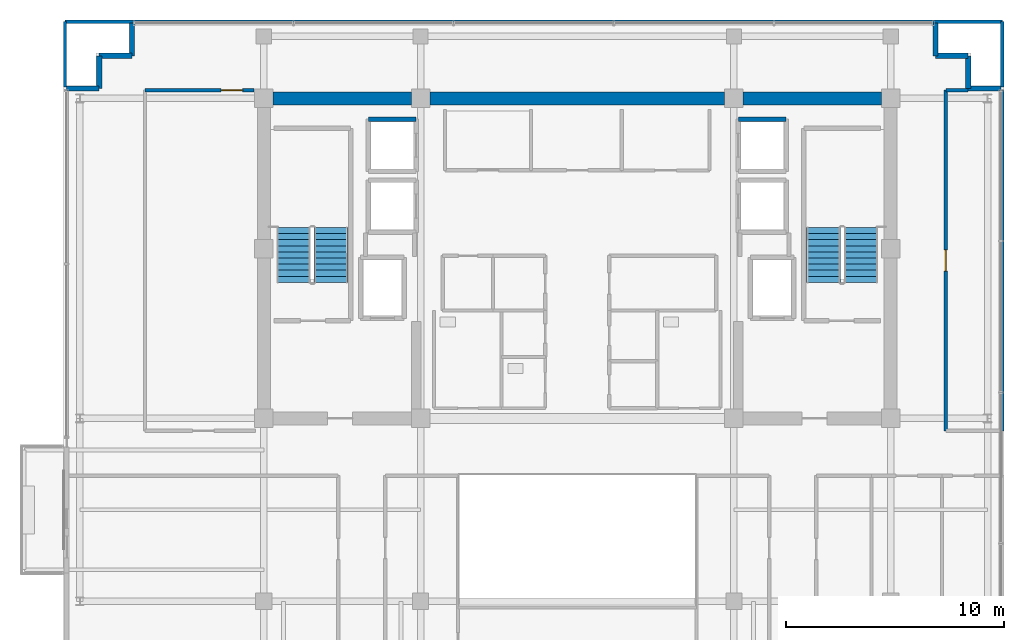
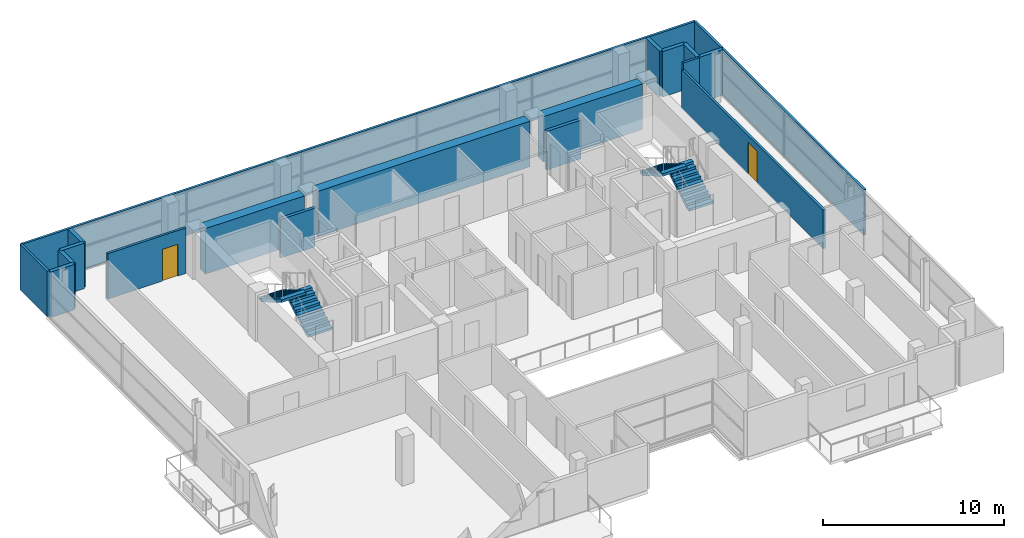
# One storey, part 18 of 22: 20 walls, 4 stair flights, 2 doors, 2 openings, 2 elements without a shape of their own.
"""IFC4 building model written with IfcOpenShell, lengths in metres."""

from ifc_helpers import new_model, si_unit, direction, frame, frame_2d, origin, place, context, subcontext, project, spatial, polyline, rectangle, outline, extrude, source, transform, mapped, material, layer, layer_set, type_object, element, fill, aggregate, save


model = new_model("IFC4")

# Units and contexts
model_context = context("Model", 3, precision=1e-05, world=origin(), true_north=direction((0.0, 1.0)))
body_context = subcontext(model_context, "Body", "Model", "MODEL_VIEW")
ifc_project = project(units=[si_unit("LENGTHUNIT", "METRE"), si_unit("AREAUNIT", "SQUARE_METRE"), si_unit("VOLUMEUNIT", "CUBIC_METRE"), si_unit("PLANEANGLEUNIT", "RADIAN"), si_unit("MASSUNIT", "GRAM", prefix="KILO")], contexts=[model_context])

# Site, building, storey
site_placement = place(None, origin())
site = spatial("IfcSite", under=ifc_project, at=site_placement, CompositionType="ELEMENT")
building_placement = place(site_placement, origin())
building = spatial("IfcBuilding", under=site, at=building_placement, Name="Zarnakvel Exchange Tower", CompositionType="ELEMENT")
storey_placement = place(building_placement, frame((0.0, 0.0, 222.10009765625)))
storey = spatial("IfcBuildingStorey", under=building, at=storey_placement, Name="L62", CompositionType="ELEMENT", Elevation=222.10009765625)

# Walls
ifc_material_1 = material(Name="Concrete C50/60", Category="concrete")
ifc_layer_1 = layer(ifc_material_1, 0.60009765625)
ifc_layer_set_1 = layer_set([ifc_layer_1], Name="Concrete C50/60")
wall_type_1 = type_object("IfcWallType", Name="CW-C5", PredefinedType="SHEAR", material=ifc_layer_set_1)
wall_1_placement = place(storey_placement, frame((-13.97509765625, 13.5, 0.0), z_axis=(0.0, 0.0, 1.0), x_axis=(1.0, 0.0, 0.0)))
element("IfcWall", 1, at=wall_1_placement, inside=storey, type_object=wall_type_1, Name="L62 Rear Core Shear Wall N1 (CW-C5)", PredefinedType="SHEAR", context=body_context, shape_type="SweptSolid", body=[
    extrude(rectangle(XDim=6.35009765625, YDim=0.60009765625, at=frame_2d((3.175048828125, 0.0))), origin(), (0.0, 0.0, 1.0), 3.074951171875),
])
wall_2_placement = place(storey_placement, frame((-6.77490234375, 13.5, 0.0), z_axis=(0.0, 0.0, 1.0), x_axis=(1.0, 0.0, 0.0)))
element("IfcWall", 2, at=wall_2_placement, inside=storey, type_object=wall_type_1, Name="L62 Rear Core Shear Wall N2 (CW-C5)", PredefinedType="SHEAR", context=body_context, shape_type="SweptSolid", body=[
    extrude(rectangle(XDim=13.5498046875, YDim=0.60009765625, at=frame_2d((6.77490234375, 0.0))), origin(), (0.0, 0.0, 1.0), 3.074951171875),
])
wall_3_placement = place(storey_placement, frame((7.625, 13.5, 0.0), z_axis=(0.0, 0.0, 1.0), x_axis=(1.0, 0.0, 0.0)))
element("IfcWall", 3, at=wall_3_placement, inside=storey, type_object=wall_type_1, Name="L62 Rear Core Shear Wall N3 (CW-C5)", PredefinedType="SHEAR", context=body_context, shape_type="SweptSolid", body=[
    extrude(rectangle(XDim=6.35009765625, YDim=0.60009765625, at=frame_2d((3.175048828125, 0.0))), origin(), (0.0, 0.0, 1.0), 3.074951171875),
])
ifc_material_2 = material(Name="Precast concrete C40/50", Category="concrete")
ifc_layer_2 = layer(ifc_material_2, 0.239990234375)
ifc_layer_set_2 = layer_set([ifc_layer_2], Name="Precast concrete C40/50")
wall_type_2 = type_object("IfcWallType", Name="EW-02", PredefinedType="SOLIDWALL", material=ifc_layer_set_2)
for number, where, z_axis, x_axis, name in (
    (4, (-21.9599609375, 13.9599609375, 0.0), (0.0, 0.0, 1.0), (-1.0, 0.0, 0.0), "L62 Exterior Precast Spandrel Wall EWC-L62-03 (EW-02)"),
    (5, (-21.9599609375, 15.4599609375, 0.0), (0.0, 0.0, 1.0), (0.0, -1.0, 0.0), "L62 Exterior Precast Spandrel Wall EWC-L62-04 (EW-02)"),
    (6, (-20.4599609375, 15.4599609375, 0.0), (0.0, 0.0, 1.0), (-1.0, 0.0, 0.0), "L62 Exterior Precast Spandrel Wall EWC-L62-05 (EW-02)"),
    (7, (-20.4599609375, 16.9599609375, 0.0), (0.0, 0.0, 1.0), (0.0, -1.0, 0.0), "L62 Exterior Precast Spandrel Wall EWC-L62-06 (EW-02)"),
    (8, (16.4599609375, 15.4599609375, 0.0), (0.0, 0.0, 1.0), (0.0, 1.0, 0.0), "L62 Exterior Precast Spandrel Wall EWC-L62-07 (EW-02)"),
    (9, (17.9599609375, 15.4599609375, 0.0), (0.0, 0.0, 1.0), (-1.0, 0.0, 0.0), "L62 Exterior Precast Spandrel Wall EWC-L62-08 (EW-02)"),
    (10, (17.9599609375, 13.9599609375, 0.0), (0.0, 0.0, 1.0), (0.0, 1.0, 0.0), "L62 Exterior Precast Spandrel Wall EWC-L62-09 (EW-02)"),
    (11, (19.4599609375, 13.9599609375, 0.0), (0.0, 0.0, 1.0), (-1.0, 0.0, 0.0), "L62 Exterior Precast Spandrel Wall EWC-L62-10 (EW-02)"),
):
    element("IfcWall", number, at=place(storey_placement, frame(where, z_axis=z_axis, x_axis=x_axis)), inside=storey, type_object=wall_type_2, Name=name, PredefinedType="SOLIDWALL", context=body_context, shape_type="SweptSolid", body=[
        extrude(rectangle(XDim=1.5, YDim=0.239990234375, at=frame_2d((0.75, 0.0))), origin(), (0.0, 0.0, 1.0), 3.074951171875),
    ])

# Wall, opening, door
ifc_material_3 = material(Name="Fire-Rated Gypsum Stud Partition", Category="gypsum")
ifc_layer_3 = layer(ifc_material_3, 0.14990234375)
ifc_layer_set_3 = layer_set([ifc_layer_3], Name="Fire-Rated Gypsum Stud Partition")
wall_type_3 = type_object("IfcWallType", Name="PT-01", PredefinedType="PARTITIONING", material=ifc_layer_set_3)
wall_4_placement = place(storey_placement, frame((-19.853271484375, 13.8798828125, 0.0), z_axis=(0.0, 0.0, 1.0), x_axis=(1.0, 0.0, 0.0)))
wall_4 = element("IfcWall", 12, at=wall_4_placement, inside=storey, type_object=wall_type_3, Name="L62 Partition Wall PWALL-L62-069 (PT-01)", PredefinedType="PARTITIONING", context=body_context, shape_type="SweptSolid", body=[
    extrude(rectangle(XDim=5.00830078125, YDim=0.14990234375, at=frame_2d((2.504150390625, 0.0))), origin(), (0.0, 0.0, 1.0), 3.074951171875),
])
opening_1_placement = place(wall_4_placement, frame((3.498291015625, 0.0, 0.0)))
opening_1 = element("IfcOpeningElement", 13, at=opening_1_placement, cuts=wall_4, Name="Opening D-L62-26", PredefinedType="OPENING", context=body_context, shape_type="SweptSolid", body=[
    extrude(rectangle(XDim=0.97998046875, YDim=2.14990234375, at=frame_2d((0.489990234375, 1.074951171875))), frame((0.0, 0.0849609375, 0.0), z_axis=(0.0, -1.0, 0.0), x_axis=(1.0, 0.0, 0.0)), (0.0, 0.0, 1.0), 0.169921875),
])
ifc_material_4 = material(Name="Timber Acoustic Veneer", Category="wood")
door_type = type_object("IfcDoorType", Name="DT-05", OperationType="NOTDEFINED", PredefinedType="DOOR", material=ifc_material_4)
shared_shape = source(origin(), body_context, "Body", "SweptSolid", [
    extrude(rectangle(XDim=0.97998046875, YDim=2.14990234375, at=frame_2d((0.489990234375, 1.074951171875))), frame((0.0, 0.02490234375, 0.0), z_axis=(0.0, -1.0, 0.0), x_axis=(1.0, 0.0, 0.0)), (0.0, 0.0, 1.0), 0.050048828125),
])
door_1_placement = place(opening_1_placement, origin())
door_1 = element("IfcDoor", 14, at=door_1_placement, inside=storey, type_object=door_type, Name="L62 Compliance Office Door D-L62-26", OperationType="SINGLE_SWING_RIGHT", OverallHeight=2.14990234375, OverallWidth=0.97998046875, PredefinedType="DOOR", context=body_context, shape_type="MappedRepresentation", body=[
    mapped(shared_shape, transform((0.0, 0.0, 0.0), x_axis=(1.0, 0.0, 0.0), y_axis=(0.0, 1.0, 0.0), z_axis=(0.0, 0.0, 1.0), scale=1.0)),
])
fill(opening_1, door_1)

# Wall
wall_5_placement = place(storey_placement, frame((16.929931640625, 13.8798828125, 0.0), z_axis=(0.0, 0.0, 1.0), x_axis=(1.0, 0.0, 0.0)))
element("IfcWall", 15, at=wall_5_placement, inside=storey, type_object=wall_type_3, Name="L62 Partition Wall PWALL-L62-072 (PT-01)", PredefinedType="PARTITIONING", context=body_context, shape_type="SweptSolid", body=[
    extrude(rectangle(XDim=1.030029296875, YDim=0.14990234375, at=frame_2d((0.51513671875, 0.0))), origin(), (0.0, 0.0, 1.0), 3.074951171875),
])

# Wall, opening, door
wall_6_placement = place(storey_placement, frame((16.929931640625, -1.77001953125, 0.0), z_axis=(0.0, 0.0, 1.0), x_axis=(0.0, 1.0, 0.0)))
wall_6 = element("IfcWall", 16, at=wall_6_placement, inside=storey, type_object=wall_type_3, Name="L62 Partition Wall PWALL-L62-073 (PT-01)", PredefinedType="PARTITIONING", context=body_context, shape_type="SweptSolid", body=[
    extrude(rectangle(XDim=15.64990234375, YDim=0.14990234375, at=frame_2d((7.824951171875, 0.0))), origin(), (0.0, 0.0, 1.0), 2.614990234375),
])
opening_2_placement = place(wall_6_placement, frame((7.3349609375, 0.0, 0.0)))
opening_2 = element("IfcOpeningElement", 17, at=opening_2_placement, cuts=wall_6, Name="Opening D-L62-25", PredefinedType="OPENING", context=body_context, shape_type="SweptSolid", body=[
    extrude(rectangle(XDim=0.97998046875, YDim=2.14990234375, at=frame_2d((0.489990234375, 1.074951171875))), frame((0.0, 0.0849609375, 0.0), z_axis=(0.0, -1.0, 0.0), x_axis=(1.0, 0.0, 0.0)), (0.0, 0.0, 1.0), 0.169921875),
])
door_2_placement = place(opening_2_placement, origin())
door_2 = element("IfcDoor", 18, at=door_2_placement, inside=storey, type_object=door_type, Name="L62 Staff Pantry Door D-L62-25", OperationType="SINGLE_SWING_LEFT", OverallHeight=2.14990234375, OverallWidth=0.97998046875, PredefinedType="DOOR", context=body_context, shape_type="MappedRepresentation", body=[
    mapped(shared_shape, transform((0.0, 0.0, 0.0), x_axis=(1.0, 0.0, 0.0), y_axis=(0.0, 1.0, 0.0), z_axis=(0.0, 0.0, 1.0), scale=1.0)),
])
fill(opening_2, door_2)

# Walls
wall_7_placement = place(storey_placement, frame((19.530029296875, 13.8798828125, 0.0), z_axis=(0.0, 0.0, 1.0), x_axis=(0.0, -1.0, 0.0)))
element("IfcWall", 19, at=wall_7_placement, inside=storey, type_object=wall_type_3, Name="L62 Partition Wall PWALL-L62-074 (PT-01)", PredefinedType="PARTITIONING", context=body_context, shape_type="SweptSolid", body=[
    extrude(rectangle(XDim=15.64990234375, YDim=0.14990234375, at=frame_2d((7.824951171875, 0.0))), origin(), (0.0, 0.0, 1.0), 3.074951171875),
])
wall_8_placement = place(storey_placement, frame((-23.530029296875, 17.030029296875, 0.0), z_axis=(0.0, 0.0, 1.0), x_axis=(1.0, 0.0, 0.0)))
element("IfcWall", 20, at=wall_8_placement, inside=storey, type_object=wall_type_3, Name="L62 Partition Wall PWALL-L62-075 (PT-01)", PredefinedType="PARTITIONING", context=body_context, shape_type="SweptSolid", body=[
    extrude(rectangle(XDim=43.06005859375, YDim=0.14990234375, at=frame_2d((21.530029296875, 0.0))), origin(), (0.0, 0.0, 1.0), 3.074951171875),
])
for number, where, z_axis, x_axis, name in (
    (21, (-23.530029296875, 14.030029296875, 0.0), (0.0, 0.0, 1.0), (0.0, 1.0, 0.0), "L62 Partition Wall PWALL-L62-076 (PT-01)"),
    (22, (19.530029296875, 17.030029296875, 0.0), (0.0, 0.0, 1.0), (0.0, -1.0, 0.0), "L62 Partition Wall PWALL-L62-077 (PT-01)"),
):
    element("IfcWall", number, at=place(storey_placement, frame(where, z_axis=z_axis, x_axis=x_axis)), inside=storey, type_object=wall_type_3, Name=name, PredefinedType="PARTITIONING", context=body_context, shape_type="SweptSolid", body=[
        extrude(rectangle(XDim=3.0, YDim=0.14990234375, at=frame_2d((1.5, 0.0))), origin(), (0.0, 0.0, 1.0), 3.074951171875),
    ])
ifc_material_5 = material(Name="Concrete C40/50", Category="concrete")
ifc_layer_4 = layer(ifc_material_5, 0.199951171875)
ifc_layer_set_4 = layer_set([ifc_layer_4], Name="Concrete C40/50")
wall_type_4 = type_object("IfcWallType", Name="SW-01", PredefinedType="SOLIDWALL", material=ifc_layer_set_4)
for number, where, z_axis, x_axis, name in (
    (23, (-9.60009765625, 12.550048828125, 0.0), (0.0, 0.0, 1.0), (1.0, 0.0, 0.0), "L62 PL-10 Hoistway Wall North"),
    (24, (7.39990234375, 12.550048828125, 0.0), (0.0, 0.0, 1.0), (1.0, 0.0, 0.0), "L62 PL-12 Hoistway Wall North"),
):
    element("IfcWall", number, at=place(storey_placement, frame(where, z_axis=z_axis, x_axis=x_axis)), inside=storey, type_object=wall_type_4, Name=name, PredefinedType="SOLIDWALL", context=body_context, shape_type="SweptSolid", body=[
        extrude(rectangle(XDim=2.2001953125, YDim=0.199951171875, at=frame_2d((1.10009765625, 0.0))), origin(), (0.0, 0.0, 1.0), 2.614990234375),
    ])

# Stair, stair flights
stair_type = type_object("IfcStairType", Name="STR-01", PredefinedType="HALF_TURN_STAIR", material=ifc_material_5)
stair_1_placement = place(storey_placement, origin())
stair_1 = element("IfcStair", 25, at=stair_1_placement, inside=storey, type_object=stair_type, Name="L62 Protected Core Exit Stair ST-01", PredefinedType="HALF_TURN_STAIR")
stair_flight_type = type_object("IfcStairFlightType", Name="FLT-01", PredefinedType="STRAIGHT", material=ifc_material_5)
stair_flight_1_placement = place(storey_placement, frame((-11.31494140625, 5.050048828125, 0.0), z_axis=(0.0, 0.0, 1.0), x_axis=(0.0, 1.0, 0.0)))
stair_flight_1 = element("IfcStairFlight", 26, at=stair_flight_1_placement, type_object=stair_flight_type, Name="ST-01 flight 1", NumberOfRisers=10, NumberOfTreads=9, PredefinedType="STRAIGHT", RiserHeight=0.165, TreadLength=0.28, context=body_context, shape_type="SweptSolid", body=[
    extrude(outline(polyline([(0.0, 0.0), (0.0, 0.1650390625), (0.280029296875, 0.1650390625), (0.280029296875, 0.330078125), (0.56005859375, 0.330078125), (0.56005859375, 0.4951171875), (0.840087890625, 0.4951171875), (0.840087890625, 0.659912109375), (1.1201171875, 0.659912109375), (1.1201171875, 0.824951171875), (1.39990234375, 0.824951171875), (1.39990234375, 0.989990234375), (1.679931640625, 0.989990234375), (1.679931640625, 1.155029296875), (1.9599609375, 1.155029296875), (1.9599609375, 1.320068359375), (2.239990234375, 1.320068359375), (2.239990234375, 1.485107421875), (2.52001953125, 1.485107421875), (2.52001953125, 1.64990234375), (2.52001953125, 1.31103515625), (0.295166015625, 0.0), (0.0, 0.0)])), frame((0.0, 0.77490234375, 0.0), z_axis=(0.0, -1.0, 0.0), x_axis=(1.0, 0.0, 0.0)), (0.0, 0.0, 1.0), 1.550048828125),
])
stair_flight_2_placement = place(storey_placement, frame((-13.02490234375, 7.570068359375, 1.64990234375), z_axis=(0.0, 0.0, 1.0), x_axis=(0.0, -1.0, 0.0)))
stair_flight_2 = element("IfcStairFlight", 27, at=stair_flight_2_placement, type_object=stair_flight_type, Name="ST-01 flight 2", NumberOfRisers=10, NumberOfTreads=9, PredefinedType="STRAIGHT", RiserHeight=0.165, TreadLength=0.28, context=body_context, shape_type="SweptSolid", body=[
    extrude(outline(polyline([(0.0, 0.0), (0.0, 0.1650390625), (0.280029296875, 0.1650390625), (0.280029296875, 0.330078125), (0.56005859375, 0.330078125), (0.56005859375, 0.4951171875), (0.840087890625, 0.4951171875), (0.840087890625, 0.659912109375), (1.1201171875, 0.659912109375), (1.1201171875, 0.824951171875), (1.39990234375, 0.824951171875), (1.39990234375, 0.989990234375), (1.679931640625, 0.989990234375), (1.679931640625, 1.155029296875), (1.9599609375, 1.155029296875), (1.9599609375, 1.320068359375), (2.239990234375, 1.320068359375), (2.239990234375, 1.485107421875), (2.52001953125, 1.485107421875), (2.52001953125, 1.64990234375), (2.52001953125, 1.31103515625), (0.295166015625, 0.0), (0.0, 0.0)])), frame((0.0, 0.77490234375, 0.0), z_axis=(0.0, -1.0, 0.0), x_axis=(1.0, 0.0, 0.0)), (0.0, 0.0, 1.0), 1.550048828125),
])
aggregate(stair_1, [stair_flight_1, stair_flight_2])

stair_2_placement = place(storey_placement, origin())
stair_2 = element("IfcStair", 28, at=stair_2_placement, inside=storey, type_object=stair_type, Name="L62 Protected Core Exit Stair ST-02", PredefinedType="HALF_TURN_STAIR")
stair_flight_3_placement = place(storey_placement, frame((13.02490234375, 5.050048828125, 0.0), z_axis=(0.0, 0.0, 1.0), x_axis=(0.0, 1.0, 0.0)))
stair_flight_3 = element("IfcStairFlight", 29, at=stair_flight_3_placement, type_object=stair_flight_type, Name="ST-02 flight 1", NumberOfRisers=10, NumberOfTreads=9, PredefinedType="STRAIGHT", RiserHeight=0.165, TreadLength=0.28, context=body_context, shape_type="SweptSolid", body=[
    extrude(outline(polyline([(0.0, 0.0), (0.0, 0.1650390625), (0.280029296875, 0.1650390625), (0.280029296875, 0.330078125), (0.56005859375, 0.330078125), (0.56005859375, 0.4951171875), (0.840087890625, 0.4951171875), (0.840087890625, 0.659912109375), (1.1201171875, 0.659912109375), (1.1201171875, 0.824951171875), (1.39990234375, 0.824951171875), (1.39990234375, 0.989990234375), (1.679931640625, 0.989990234375), (1.679931640625, 1.155029296875), (1.9599609375, 1.155029296875), (1.9599609375, 1.320068359375), (2.239990234375, 1.320068359375), (2.239990234375, 1.485107421875), (2.52001953125, 1.485107421875), (2.52001953125, 1.64990234375), (2.52001953125, 1.31103515625), (0.295166015625, 0.0), (0.0, 0.0)])), frame((0.0, 0.77490234375, 0.0), z_axis=(0.0, -1.0, 0.0), x_axis=(1.0, 0.0, 0.0)), (0.0, 0.0, 1.0), 1.550048828125),
])
stair_flight_4_placement = place(storey_placement, frame((11.31494140625, 7.570068359375, 1.64990234375), z_axis=(0.0, 0.0, 1.0), x_axis=(0.0, -1.0, 0.0)))
stair_flight_4 = element("IfcStairFlight", 30, at=stair_flight_4_placement, type_object=stair_flight_type, Name="ST-02 flight 2", NumberOfRisers=10, NumberOfTreads=9, PredefinedType="STRAIGHT", RiserHeight=0.165, TreadLength=0.28, context=body_context, shape_type="SweptSolid", body=[
    extrude(outline(polyline([(0.0, 0.0), (0.0, 0.1650390625), (0.280029296875, 0.1650390625), (0.280029296875, 0.330078125), (0.56005859375, 0.330078125), (0.56005859375, 0.4951171875), (0.840087890625, 0.4951171875), (0.840087890625, 0.659912109375), (1.1201171875, 0.659912109375), (1.1201171875, 0.824951171875), (1.39990234375, 0.824951171875), (1.39990234375, 0.989990234375), (1.679931640625, 0.989990234375), (1.679931640625, 1.155029296875), (1.9599609375, 1.155029296875), (1.9599609375, 1.320068359375), (2.239990234375, 1.320068359375), (2.239990234375, 1.485107421875), (2.52001953125, 1.485107421875), (2.52001953125, 1.64990234375), (2.52001953125, 1.31103515625), (0.295166015625, 0.0), (0.0, 0.0)])), frame((0.0, 0.77490234375, 0.0), z_axis=(0.0, -1.0, 0.0), x_axis=(1.0, 0.0, 0.0)), (0.0, 0.0, 1.0), 1.550048828125),
])
aggregate(stair_2, [stair_flight_3, stair_flight_4])

save(model, "model.ifc")
